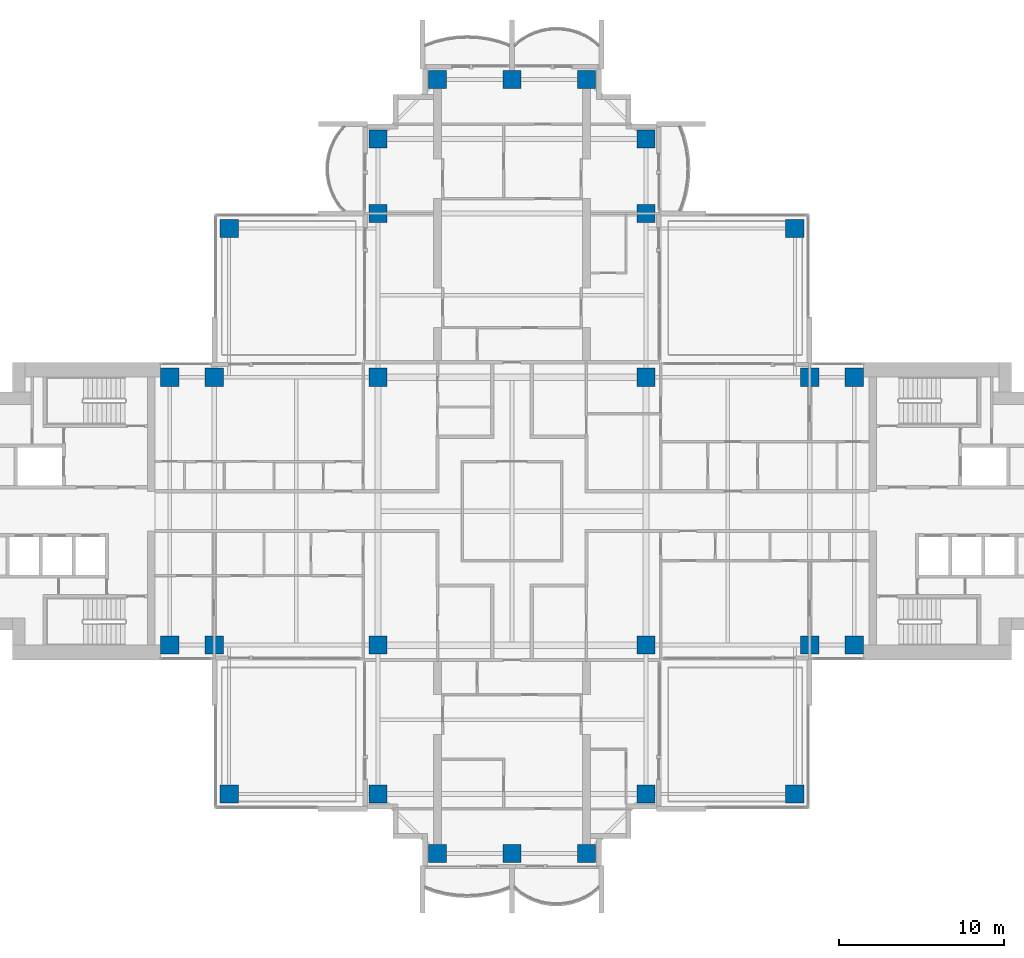
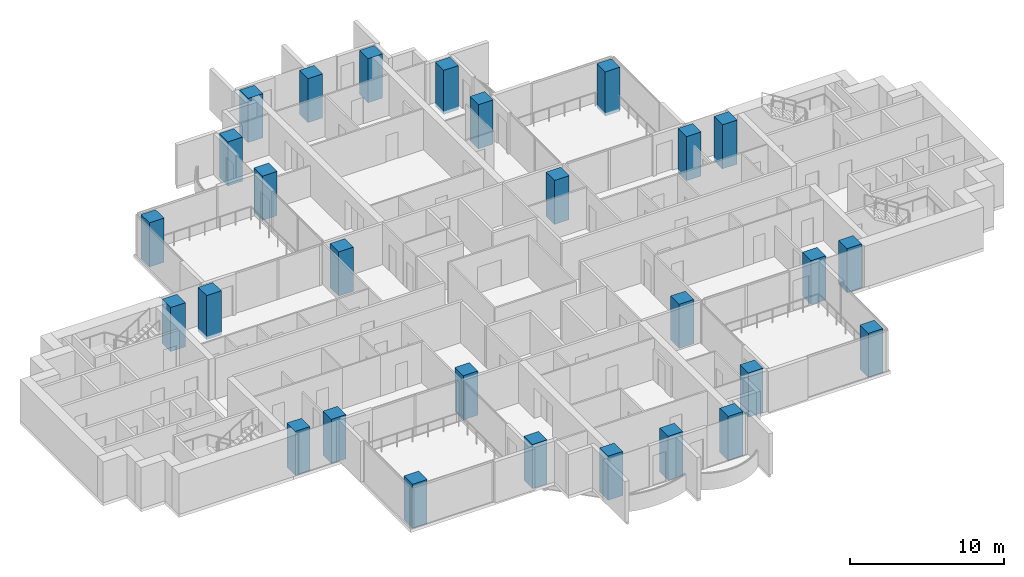
# One storey, part 1 of 18: 28 columns.
"""IFC4 building model written with IfcOpenShell, lengths in metres."""

import ifcopenshell
import ifcopenshell.guid

model = None  # the IFC model being written
_history = None  # IfcOwnerHistory: only IFC2X3 demands one
_inside = {}  # id of a spatial element -> (the spatial element, [elements in it])
_under = {}  # id of a project, library or spatial element -> (it, [spatial elements below it])
_declared = {}  # id of a project -> (the project, [libraries it declares])
_typed = {}  # id of a type object -> (the type object, [elements of that type])
_made_of = {}  # id of a material, layer set ... -> (it, [elements and type objects made of it])


def new_model(schema):
    """Start an empty IFC model of exactly this schema.

    Asked for "IFC4X3", IfcOpenShell would pick the latest addendum, in which some entities
    have other attributes; the version numbers below select the first issue.
    IFC2X3 requires an IfcOwnerHistory on every rooted entity: one is made here for all.
    """
    global model, _history
    if schema == "IFC4X3":
        model = ifcopenshell.file(schema_version=(4, 3, 0, 0))
    else:
        model = ifcopenshell.file(schema=schema)
    _inside.clear()
    _under.clear()
    _declared.clear()
    _typed.clear()
    _made_of.clear()
    _history = None
    if model.schema == "IFC2X3":
        org = make("IfcOrganization", Name="unknown")
        user = make(
            "IfcPersonAndOrganization",
            ThePerson=make("IfcPerson", FamilyName="unknown"),
            TheOrganization=org,
        )
        app = make(
            "IfcApplication",
            ApplicationDeveloper=org,
            Version="unknown",
            ApplicationFullName="unknown",
            ApplicationIdentifier="unknown",
        )
        _history = make(
            "IfcOwnerHistory",
            OwningUser=user,
            OwningApplication=app,
            ChangeAction="ADDED",
            CreationDate=0,
        )
    return model


def make(cls, **values):
    """One entity of the class cls with the attributes given. An attribute that is None is left unset."""
    return model.create_entity(
        cls, **{name: value for name, value in values.items() if value is not None}
    )


def rooted(cls, **values):
    """An entity with a GlobalId (a new one), such as an element, a storey or a relation."""
    return make(cls, GlobalId=ifcopenshell.guid.new(), OwnerHistory=_history, **values)


def si_unit(unit_type, name, prefix=None):
    """IfcSIUnit, for example si_unit("LENGTHUNIT", "METRE", prefix="MILLI")."""
    return make("IfcSIUnit", UnitType=unit_type, Prefix=prefix, Name=name)


def assignment(units):
    """IfcUnitAssignment: the units of a project."""
    return None if units is None else make("IfcUnitAssignment", Units=units)


def point(xyz):
    """IfcCartesianPoint."""
    return None if xyz is None else make("IfcCartesianPoint", Coordinates=xyz)


def direction(xyz):
    """IfcDirection."""
    return None if xyz is None else make("IfcDirection", DirectionRatios=xyz)


def frame(location, z_axis=None, x_axis=None):
    """IfcAxis2Placement3D, a coordinate frame: its origin and axes. An axis left out is left unset."""
    return make(
        "IfcAxis2Placement3D",
        Location=point(location),
        Axis=direction(z_axis),
        RefDirection=direction(x_axis),
    )


def frame_2d(location, x_axis=None):
    """IfcAxis2Placement2D, a coordinate frame in the plane: its origin and x axis."""
    return make(
        "IfcAxis2Placement2D", Location=point(location), RefDirection=direction(x_axis)
    )


def origin():
    """The frame at (0, 0, 0) with its axes left unset."""
    return frame((0.0, 0.0, 0.0))


def origin_2d():
    """The frame at (0, 0) in the plane with its x axis left unset."""
    return frame_2d((0.0, 0.0))


def place(relative_to, where):
    """IfcLocalPlacement: puts the frame where relative to a parent placement (None: the world)."""
    return make(
        "IfcLocalPlacement", PlacementRelTo=relative_to, RelativePlacement=where
    )


def context(
    kind, dimensions, precision=None, world=None, true_north=None, identifier=None
):
    """IfcGeometricRepresentationContext, for example the 3D "Model" context."""
    return make(
        "IfcGeometricRepresentationContext",
        ContextIdentifier=identifier,
        ContextType=kind,
        CoordinateSpaceDimension=dimensions,
        Precision=precision,
        WorldCoordinateSystem=world,
        TrueNorth=true_north,
    )


def subcontext(parent, identifier, kind, view, scale=None):
    """IfcGeometricRepresentationSubContext, for example "Body" below "Model"."""
    return make(
        "IfcGeometricRepresentationSubContext",
        ContextIdentifier=identifier,
        ContextType=kind,
        ParentContext=parent,
        TargetScale=scale,
        TargetView=view,
    )


def project(units=None, contexts=None):
    """IfcProject with its units and contexts."""
    return rooted(
        "IfcProject",
        Name="project",
        RepresentationContexts=contexts,
        UnitsInContext=assignment(units),
    )


def spatial(cls, under=None, at=None, **own):
    """A site, building, storey or space (cls), placed at a placement, below another one or the project."""
    s = rooted(cls, ObjectPlacement=at, **own)
    if under is not None:
        _under.setdefault(under.id(), (under, []))[1].append(s)
    return s


def profile(cls, at=None, kind="AREA", **sizes):
    """A parametric profile (cls). Its sizes go by their IFC names, for example OverallWidth=200.0."""
    return make(cls, ProfileType=kind, Position=at, **sizes)


def rectangle(**sizes):
    """IfcRectangleProfileDef."""
    return profile("IfcRectangleProfileDef", **sizes)


def extrude(swept, where, along, depth):
    """IfcExtrudedAreaSolid: the profile swept, set in the frame where, extruded along a direction by depth."""
    return make(
        "IfcExtrudedAreaSolid",
        SweptArea=swept,
        Position=where,
        ExtrudedDirection=direction(along),
        Depth=depth,
    )


def shape(context_of_items, identifier, shape_type, items):
    """IfcShapeRepresentation: the items that make up one representation, for example the "Body"."""
    return make(
        "IfcShapeRepresentation",
        ContextOfItems=context_of_items,
        RepresentationIdentifier=identifier,
        RepresentationType=shape_type,
        Items=items,
    )


def material(Name=None, Category=None):
    """IfcMaterial."""
    return make("IfcMaterial", Name=Name, Category=Category)


def material_profile(
    of_material, cross_section, Name=None, Category=None, Priority=None
):
    """IfcMaterialProfile: a cross section and its material."""
    return make(
        "IfcMaterialProfile",
        Name=Name,
        Material=of_material,
        Profile=cross_section,
        Priority=Priority,
        Category=Category,
    )


def profile_set(profiles, Name=None, composite=None):
    """IfcMaterialProfileSet."""
    return make(
        "IfcMaterialProfileSet",
        Name=Name,
        MaterialProfiles=profiles,
        CompositeProfile=composite,
    )


def made_of(thing, what):
    """Note that an element or type object is made of a material, layer set ...; save() writes the relation."""
    if what is not None:
        _made_of.setdefault(what.id(), (what, []))[1].append(thing)
    return thing


def type_object(cls, material=None, **own):
    """A type object (cls), such as IfcWallType, which elements share."""
    return made_of(rooted(cls, **own), material)


def element(
    cls,
    number,
    at=None,
    inside=None,
    cuts=None,
    type_object=None,
    material=None,
    context=None,
    identifier="Body",
    shape_type=None,
    held_by="IfcProductDefinitionShape",
    body=None,
    shapes=None,
    **own,
):
    """One element of the class cls, such as IfcWall. Its Tag is "e" and its number.

    at: its placement. inside: the storey or other place that contains it. cuts: it is an
    opening in that element (IfcRelVoidsElement). A single representation is given by context,
    identifier, shape_type and body (its items); several are given by shapes. held_by: the class
    of the entity that holds the representations. save() writes the other relations.
    """
    e = rooted(cls, Tag="e%d" % number, ObjectPlacement=at, **own)
    if body is not None:
        shapes = [shape(context, identifier, shape_type, body)]
    if shapes is not None:
        e.Representation = make(held_by, Representations=shapes)
    if inside is not None:
        _inside.setdefault(inside.id(), (inside, []))[1].append(e)
    if cuts is not None:
        rooted(
            "IfcRelVoidsElement", RelatingBuildingElement=cuts, RelatedOpeningElement=e
        )
    if type_object is not None:
        _typed.setdefault(type_object.id(), (type_object, []))[1].append(e)
    return made_of(e, material)


def aggregate(whole, parts):
    """IfcRelAggregates: a whole, such as a stair, and the parts it consists of."""
    return rooted("IfcRelAggregates", RelatingObject=whole, RelatedObjects=parts)


def save(model, path):
    """Write the relations noted so far, then the file.

    IfcRelAggregates (storeys below a building ...), IfcRelContainedInSpatialStructure (elements
    in a storey), IfcRelDefinesByType, IfcRelAssociatesMaterial and IfcRelDeclares: one each for
    every whole, place, type object, material and project.
    """
    for whole, parts in _under.values():
        aggregate(whole, parts)
    for where, things in _inside.values():
        rooted(
            "IfcRelContainedInSpatialStructure",
            RelatedElements=things,
            RelatingStructure=where,
        )
    for kind, things in _typed.values():
        rooted("IfcRelDefinesByType", RelatedObjects=things, RelatingType=kind)
    for what, things in _made_of.values():
        rooted("IfcRelAssociatesMaterial", RelatedObjects=things, RelatingMaterial=what)
    for by, libraries in _declared.values():
        rooted("IfcRelDeclares", RelatingContext=by, RelatedDefinitions=libraries)
    model.write(path)


model = new_model("IFC4")

# Units and contexts
model_context = context("Model", 3, precision=1e-05, world=origin(), true_north=direction((0.0, 1.0)))
body_context = subcontext(model_context, "Body", "Model", "MODEL_VIEW")
ifc_project = project(units=[si_unit("LENGTHUNIT", "METRE"), si_unit("AREAUNIT", "SQUARE_METRE"), si_unit("VOLUMEUNIT", "CUBIC_METRE"), si_unit("PLANEANGLEUNIT", "RADIAN"), si_unit("MASSUNIT", "GRAM", prefix="KILO")], contexts=[model_context])

# Site, building, storey
site_placement = place(None, origin())
site = spatial("IfcSite", under=ifc_project, at=site_placement, CompositionType="ELEMENT")
building_placement = place(site_placement, origin())
building = spatial("IfcBuilding", under=site, at=building_placement, Name="Perihelion Cross Residences", CompositionType="ELEMENT")
storey_placement = place(building_placement, frame((0.0, 0.0, 123.39990234375)))
storey = spatial("IfcBuildingStorey", under=building, at=storey_placement, Name="L29", CompositionType="ELEMENT", Elevation=123.39990234375)

# Columns
ifc_material = material(Name="Concrete C60/75", Category="concrete")
ifc_material_profile = material_profile(ifc_material, rectangle(XDim=1.10009765625, YDim=1.10009765625, at=origin_2d()), Name="RC 1100x1100")
ifc_profile_set = profile_set([ifc_material_profile], Name="Concrete C60/75")
column_type = type_object("IfcColumnType", Name="Reinforced concrete column 1100x1100 C60/75", PredefinedType="COLUMN", material=ifc_profile_set)
for number, where, z_axis, x_axis, name in (
    (1, (-20.699951171875, -8.10009765625, -0.25), (0.0, 0.0, 1.0), (1.0, 0.0, 0.0), "Column C017 L29 no. 1"),
    (2, (-20.699951171875, 8.10009765625, -0.25), (0.0, 0.0, 1.0), (1.0, 0.0, 0.0), "Column C010 L29 no. 1"),
    (3, (-18.0, -8.10009765625, -0.25), (0.0, 0.0, 1.0), (1.0, 0.0, 0.0), "Column C018 L29 no. 1"),
    (4, (-18.0, 8.10009765625, -0.25), (0.0, 0.0, 1.0), (1.0, 0.0, 0.0), "Column C011 L29 no. 1"),
    (5, (-8.10009765625, -17.10009765625, -0.25), (0.0, 0.0, 1.0), (1.0, 0.0, 0.0), "Column C031 L29 no. 1"),
    (6, (-8.10009765625, -8.10009765625, -0.25), (0.0, 0.0, 1.0), (1.0, 0.0, 0.0), "Column C019 L29 no. 1"),
    (7, (-8.10009765625, 8.10009765625, -0.25), (0.0, 0.0, 1.0), (1.0, 0.0, 0.0), "Column C012 L29 no. 1"),
    (8, (-8.10009765625, 18.0, -0.25), (0.0, 0.0, 1.0), (1.0, 0.0, 0.0), "Column C006 L29 no. 1"),
    (9, (-8.10009765625, 22.5, -0.25), (0.0, 0.0, 1.0), (1.0, 0.0, 0.0), "Column C004 L29 no. 1"),
    (10, (-4.5, -20.699951171875, -0.25), (0.0, 0.0, 1.0), (1.0, 0.0, 0.0), "Column C037 L29 no. 1"),
    (11, (-4.5, 26.10009765625, -0.25), (0.0, 0.0, 1.0), (1.0, 0.0, 0.0), "Column C001 L29 no. 1"),
    (12, (0.0, -20.699951171875, -0.25), (0.0, 0.0, 1.0), (1.0, 0.0, 0.0), "Column C038 L29 no. 1"),
    (13, (0.0, 26.10009765625, -0.25), (0.0, 0.0, 1.0), (1.0, 0.0, 0.0), "Column C002 L29 no. 1"),
    (14, (4.5, -20.699951171875, -0.25), (0.0, 0.0, 1.0), (1.0, 0.0, 0.0), "Column C039 L29 no. 1"),
    (15, (4.5, 26.10009765625, -0.25), (0.0, 0.0, 1.0), (1.0, 0.0, 0.0), "Column C003 L29 no. 1"),
    (16, (8.10009765625, -17.10009765625, -0.25), (0.0, 0.0, 1.0), (1.0, 0.0, 0.0), "Column C035 L29 no. 1"),
    (17, (8.10009765625, -8.10009765625, -0.25), (0.0, 0.0, 1.0), (1.0, 0.0, 0.0), "Column C020 L29 no. 1"),
    (18, (8.10009765625, 8.10009765625, -0.25), (0.0, 0.0, 1.0), (1.0, 0.0, 0.0), "Column C014 L29 no. 1"),
    (19, (8.10009765625, 18.0, -0.25), (0.0, 0.0, 1.0), (1.0, 0.0, 0.0), "Column C007 L29 no. 1"),
    (20, (8.10009765625, 22.5, -0.25), (0.0, 0.0, 1.0), (1.0, 0.0, 0.0), "Column C005 L29 no. 1"),
    (21, (18.0, -8.10009765625, -0.25), (0.0, 0.0, 1.0), (1.0, 0.0, 0.0), "Column C021 L29 no. 1"),
    (22, (18.0, 8.10009765625, -0.25), (0.0, 0.0, 1.0), (1.0, 0.0, 0.0), "Column C015 L29 no. 1"),
    (23, (20.699951171875, -8.10009765625, -0.25), (0.0, 0.0, 1.0), (1.0, 0.0, 0.0), "Column C022 L29 no. 1"),
    (24, (20.699951171875, 8.10009765625, -0.25), (0.0, 0.0, 1.0), (1.0, 0.0, 0.0), "Column C016 L29 no. 1"),
    (25, (17.10009765625, 17.10009765625, -0.25), (0.0, 0.0, 1.0), (1.0, 0.0, 0.0), "Column C009 L29 no. 1"),
    (26, (-17.10009765625, 17.10009765625, -0.25), (0.0, 0.0, 1.0), (1.0, 0.0, 0.0), "Column C008 L29 no. 1"),
    (27, (-17.10009765625, -17.10009765625, -0.25), (0.0, 0.0, 1.0), (1.0, 0.0, 0.0), "Column C030 L29 no. 1"),
    (28, (17.10009765625, -17.10009765625, -0.25), (0.0, 0.0, 1.0), (1.0, 0.0, 0.0), "Column C036 L29 no. 1"),
):
    element("IfcColumn", number, at=place(storey_placement, frame(where, z_axis=z_axis, x_axis=x_axis)), inside=storey, type_object=column_type, Name=name, PredefinedType="COLUMN", context=body_context, shape_type="SweptSolid", body=[
        extrude(rectangle(XDim=1.10009765625, YDim=1.10009765625, at=origin_2d()), origin(), (0.0, 0.0, 1.0), 3.5),
    ])

save(model, "model.ifc")
